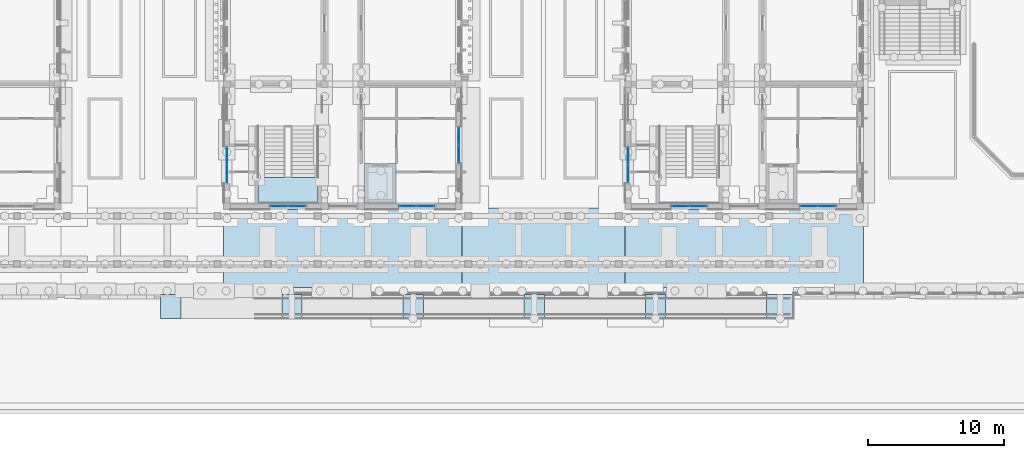
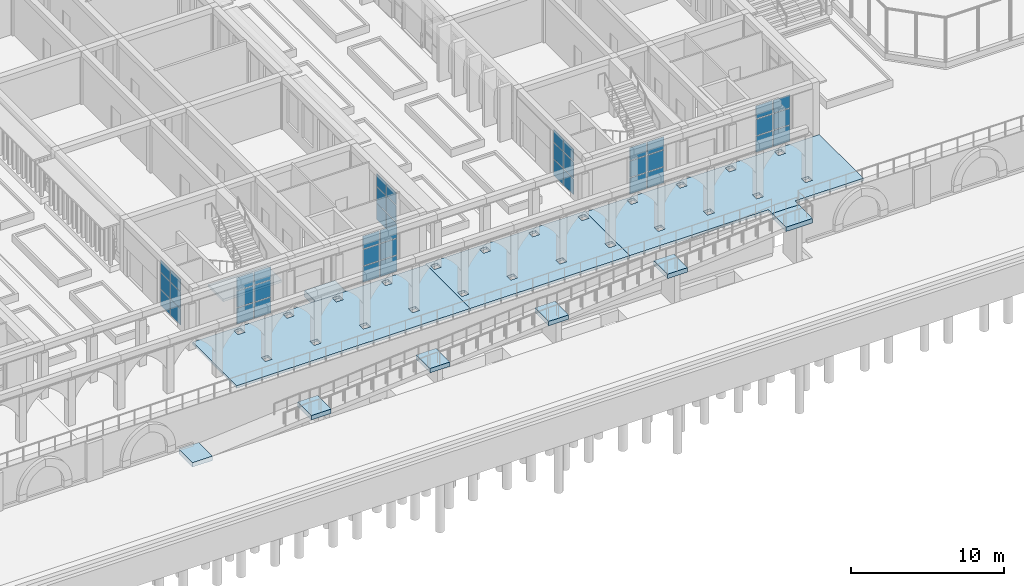
# One storey, part 49 of 161: 42 plates, 11 slabs, 9 elements without a shape of their own.
"""IFC4 building model written with IfcOpenShell, lengths in metres."""

from ifc_helpers import new_model, si_unit, direction, frame, origin, origin_2d, place, context, subcontext, project, spatial, polyline, rectangle, outline, extrude, material, layer, layer_set, type_object, element, aggregate, save


model = new_model("IFC4")

# Units and contexts
model_context = context("Model", 3, precision=1e-05, world=origin(), true_north=direction((0.0, 1.0)))
body_context = subcontext(model_context, "Body", "Model", "MODEL_VIEW")
ifc_project = project(units=[si_unit("LENGTHUNIT", "METRE"), si_unit("AREAUNIT", "SQUARE_METRE"), si_unit("VOLUMEUNIT", "CUBIC_METRE"), si_unit("PLANEANGLEUNIT", "RADIAN"), si_unit("MASSUNIT", "GRAM", prefix="KILO")], contexts=[model_context])

# Site, building, storey
site_placement = place(None, origin())
site = spatial("IfcSite", under=ifc_project, at=site_placement, CompositionType="ELEMENT")
building_placement = place(site_placement, origin())
building = spatial("IfcBuilding", under=site, at=building_placement, Name="Elbe Cascade School", CompositionType="ELEMENT")
storey_placement = place(building_placement, origin())
storey = spatial("IfcBuildingStorey", under=building, at=storey_placement, Name="L00", CompositionType="ELEMENT", Elevation=0.0)

# Stair, slab
ifc_material_1 = material(Name="Concrete C30/37", Category="concrete")
stair_type = type_object("IfcStairType", Name="Bar stair RC 150", PredefinedType="HALF_TURN_STAIR", material=ifc_material_1)
stair_placement = place(storey_placement, origin())
stair = element("IfcStair", 1, at=stair_placement, inside=storey, type_object=stair_type, Name="Stair C0.S", PredefinedType="HALF_TURN_STAIR")
ifc_material_2 = material(Name="Concrete C30/37", Category="concrete")
ifc_layer_1 = layer(ifc_material_2, 0.199951171875)
ifc_layer_set_1 = layer_set([ifc_layer_1], Name="Concrete C30/37")
slab_type_1 = type_object("IfcSlabType", Name="Bar stair landing RC 200", PredefinedType="LANDING", material=ifc_layer_set_1)
slab_1_placement = place(storey_placement, frame((0.0, 0.0, 2.050048828125)))
slab_1 = element("IfcSlab", 2, at=slab_1_placement, type_object=slab_type_1, Name="ST3 landing 1", PredefinedType="LANDING", context=body_context, shape_type="SweptSolid", body=[
    extrude(outline(polyline([(130.5, 6.179931640625), (134.89990234375, 6.179931640625), (134.89990234375, 8.1298828125), (130.5, 8.1298828125), (130.5, 6.179931640625)])), origin(), (0.0, 0.0, 1.0), 0.199951171875),
])
aggregate(stair, [slab_1])

# Curtain wall, plates
ifc_material_3 = material(Name="Aluminium frame with double glazing, bronze anodised", Category="aluminium")
ifc_layer_2 = layer(ifc_material_3, 0.199951171875)
ifc_layer_set_2 = layer_set([ifc_layer_2], Name="Aluminium frame with double glazing, bronze anodised")
curtain_wall_type = type_object("IfcCurtainWallType", Name="Bars envelope Curtain wall, aluminium, bronze anodised, ground floor tall run", PredefinedType="NOTDEFINED", material=ifc_layer_set_2)
curtain_wall_1_placement = place(storey_placement, origin())
curtain_wall_1 = element("IfcCurtainWall", 3, at=curtain_wall_1_placement, inside=storey, type_object=curtain_wall_type, Name="Curtain wall CW3 C.L00.w1", PredefinedType="NOTDEFINED")
ifc_material_4 = material(Name="Glass - double glazed low-E", Category="glass")
ifc_layer_3 = layer(ifc_material_4, 0.035888671875)
ifc_layer_set_3 = layer_set([ifc_layer_3], Name="Glass - double glazed low-E")
plate_type = type_object("IfcPlateType", Name="Bars envelope Curtain wall glazing panel 36 mm, double glazed, ground floor tall run", PredefinedType="CURTAIN_PANEL", material=ifc_layer_set_3)
plate_1_placement = place(storey_placement, frame((128.199951171875, 8.3798828125, 0.06005859375), z_axis=(0.0, 0.0, 1.0), x_axis=(0.0, 1.0, 0.0)))
plate_1 = element("IfcPlate", 4, at=plate_1_placement, type_object=plate_type, Name="CW3 panel 1.1", PredefinedType="CURTAIN_PANEL", context=body_context, shape_type="SweptSolid", body=[
    extrude(rectangle(XDim=1.260009765625, YDim=0.035888671875, at=origin_2d()), origin(), (0.0, 0.0, 1.0), 1.260009765625),
])
plate_2_placement = place(storey_placement, frame((128.199951171875, 8.3798828125, 1.3798828125), z_axis=(0.0, 0.0, 1.0), x_axis=(0.0, 1.0, 0.0)))
plate_2 = element("IfcPlate", 5, at=plate_2_placement, type_object=plate_type, Name="CW3 panel 1.2", PredefinedType="CURTAIN_PANEL", context=body_context, shape_type="SweptSolid", body=[
    extrude(rectangle(XDim=1.260009765625, YDim=0.035888671875, at=origin_2d()), origin(), (0.0, 0.0, 1.0), 1.2900390625),
])
plate_3_placement = place(storey_placement, frame((128.199951171875, 8.3798828125, 2.72998046875), z_axis=(0.0, 0.0, 1.0), x_axis=(0.0, 1.0, 0.0)))
plate_3 = element("IfcPlate", 6, at=plate_3_placement, type_object=plate_type, Name="CW3 panel 1.3", PredefinedType="CURTAIN_PANEL", context=body_context, shape_type="SweptSolid", body=[
    extrude(rectangle(XDim=1.260009765625, YDim=0.035888671875, at=origin_2d()), origin(), (0.0, 0.0, 1.0), 0.9599609375),
])
plate_4_placement = place(storey_placement, frame((128.199951171875, 9.699951171875, 0.06005859375), z_axis=(0.0, 0.0, 1.0), x_axis=(0.0, 1.0, 0.0)))
plate_4 = element("IfcPlate", 7, at=plate_4_placement, type_object=plate_type, Name="CW3 panel 2.1", PredefinedType="CURTAIN_PANEL", context=body_context, shape_type="SweptSolid", body=[
    extrude(rectangle(XDim=1.260009765625, YDim=0.035888671875, at=origin_2d()), origin(), (0.0, 0.0, 1.0), 1.260009765625),
])
plate_5_placement = place(storey_placement, frame((128.199951171875, 9.699951171875, 1.3798828125), z_axis=(0.0, 0.0, 1.0), x_axis=(0.0, 1.0, 0.0)))
plate_5 = element("IfcPlate", 8, at=plate_5_placement, type_object=plate_type, Name="CW3 panel 2.2", PredefinedType="CURTAIN_PANEL", context=body_context, shape_type="SweptSolid", body=[
    extrude(rectangle(XDim=1.260009765625, YDim=0.035888671875, at=origin_2d()), origin(), (0.0, 0.0, 1.0), 1.2900390625),
])
plate_6_placement = place(storey_placement, frame((128.199951171875, 9.699951171875, 2.72998046875), z_axis=(0.0, 0.0, 1.0), x_axis=(0.0, 1.0, 0.0)))
plate_6 = element("IfcPlate", 9, at=plate_6_placement, type_object=plate_type, Name="CW3 panel 2.3", PredefinedType="CURTAIN_PANEL", context=body_context, shape_type="SweptSolid", body=[
    extrude(rectangle(XDim=1.260009765625, YDim=0.035888671875, at=origin_2d()), origin(), (0.0, 0.0, 1.0), 0.9599609375),
])
aggregate(curtain_wall_1, [plate_1, plate_2, plate_3, plate_4, plate_5, plate_6])

curtain_wall_2_placement = place(storey_placement, origin())
curtain_wall_2 = element("IfcCurtainWall", 10, at=curtain_wall_2_placement, inside=storey, type_object=curtain_wall_type, Name="Curtain wall CW3 C.L00.e1", PredefinedType="NOTDEFINED")
plate_7_placement = place(storey_placement, frame((145.300048828125, 11.159912109375, 0.06005859375), z_axis=(0.0, 0.0, 1.0), x_axis=(0.0, -1.0, 0.0)))
plate_7 = element("IfcPlate", 11, at=plate_7_placement, type_object=plate_type, Name="CW3 panel 1.1", PredefinedType="CURTAIN_PANEL", context=body_context, shape_type="SweptSolid", body=[
    extrude(rectangle(XDim=1.260009765625, YDim=0.035888671875, at=origin_2d()), origin(), (0.0, 0.0, 1.0), 1.260009765625),
])
plate_8_placement = place(storey_placement, frame((145.300048828125, 11.159912109375, 1.3798828125), z_axis=(0.0, 0.0, 1.0), x_axis=(0.0, -1.0, 0.0)))
plate_8 = element("IfcPlate", 12, at=plate_8_placement, type_object=plate_type, Name="CW3 panel 1.2", PredefinedType="CURTAIN_PANEL", context=body_context, shape_type="SweptSolid", body=[
    extrude(rectangle(XDim=1.260009765625, YDim=0.035888671875, at=origin_2d()), origin(), (0.0, 0.0, 1.0), 1.2900390625),
])
plate_9_placement = place(storey_placement, frame((145.300048828125, 11.159912109375, 2.72998046875), z_axis=(0.0, 0.0, 1.0), x_axis=(0.0, -1.0, 0.0)))
plate_9 = element("IfcPlate", 13, at=plate_9_placement, type_object=plate_type, Name="CW3 panel 1.3", PredefinedType="CURTAIN_PANEL", context=body_context, shape_type="SweptSolid", body=[
    extrude(rectangle(XDim=1.260009765625, YDim=0.035888671875, at=origin_2d()), origin(), (0.0, 0.0, 1.0), 0.9599609375),
])
plate_10_placement = place(storey_placement, frame((145.300048828125, 9.840087890625, 0.06005859375), z_axis=(0.0, 0.0, 1.0), x_axis=(0.0, -1.0, 0.0)))
plate_10 = element("IfcPlate", 14, at=plate_10_placement, type_object=plate_type, Name="CW3 panel 2.1", PredefinedType="CURTAIN_PANEL", context=body_context, shape_type="SweptSolid", body=[
    extrude(rectangle(XDim=1.260009765625, YDim=0.035888671875, at=origin_2d()), origin(), (0.0, 0.0, 1.0), 1.260009765625),
])
plate_11_placement = place(storey_placement, frame((145.300048828125, 9.840087890625, 1.3798828125), z_axis=(0.0, 0.0, 1.0), x_axis=(0.0, -1.0, 0.0)))
plate_11 = element("IfcPlate", 15, at=plate_11_placement, type_object=plate_type, Name="CW3 panel 2.2", PredefinedType="CURTAIN_PANEL", context=body_context, shape_type="SweptSolid", body=[
    extrude(rectangle(XDim=1.260009765625, YDim=0.035888671875, at=origin_2d()), origin(), (0.0, 0.0, 1.0), 1.2900390625),
])
plate_12_placement = place(storey_placement, frame((145.300048828125, 9.840087890625, 2.72998046875), z_axis=(0.0, 0.0, 1.0), x_axis=(0.0, -1.0, 0.0)))
plate_12 = element("IfcPlate", 16, at=plate_12_placement, type_object=plate_type, Name="CW3 panel 2.3", PredefinedType="CURTAIN_PANEL", context=body_context, shape_type="SweptSolid", body=[
    extrude(rectangle(XDim=1.260009765625, YDim=0.035888671875, at=origin_2d()), origin(), (0.0, 0.0, 1.0), 0.9599609375),
])
aggregate(curtain_wall_2, [plate_7, plate_8, plate_9, plate_10, plate_11, plate_12])

curtain_wall_3_placement = place(storey_placement, origin())
curtain_wall_3 = element("IfcCurtainWall", 17, at=curtain_wall_3_placement, inside=storey, type_object=curtain_wall_type, Name="Curtain wall CW3 C.L00.s1", PredefinedType="NOTDEFINED")
plate_13_placement = place(storey_placement, frame((133.360107421875, 6.0, 0.06005859375), z_axis=(0.0, 0.0, 1.0), x_axis=(-1.0, 0.0, 0.0)))
plate_13 = element("IfcPlate", 18, at=plate_13_placement, type_object=plate_type, Name="CW3 panel 1.1", PredefinedType="CURTAIN_PANEL", context=body_context, shape_type="SweptSolid", body=[
    extrude(rectangle(XDim=1.260009765625, YDim=0.035888671875, at=origin_2d()), origin(), (0.0, 0.0, 1.0), 1.260009765625),
])
plate_14_placement = place(storey_placement, frame((133.360107421875, 6.0, 1.3798828125), z_axis=(0.0, 0.0, 1.0), x_axis=(-1.0, 0.0, 0.0)))
plate_14 = element("IfcPlate", 19, at=plate_14_placement, type_object=plate_type, Name="CW3 panel 1.2", PredefinedType="CURTAIN_PANEL", context=body_context, shape_type="SweptSolid", body=[
    extrude(rectangle(XDim=1.260009765625, YDim=0.035888671875, at=origin_2d()), origin(), (0.0, 0.0, 1.0), 1.2900390625),
])
plate_15_placement = place(storey_placement, frame((133.360107421875, 6.0, 2.72998046875), z_axis=(0.0, 0.0, 1.0), x_axis=(-1.0, 0.0, 0.0)))
plate_15 = element("IfcPlate", 20, at=plate_15_placement, type_object=plate_type, Name="CW3 panel 1.3", PredefinedType="CURTAIN_PANEL", context=body_context, shape_type="SweptSolid", body=[
    extrude(rectangle(XDim=1.260009765625, YDim=0.035888671875, at=origin_2d()), origin(), (0.0, 0.0, 1.0), 1.010009765625),
])
plate_16_placement = place(storey_placement, frame((132.0400390625, 6.0, 0.06005859375), z_axis=(0.0, 0.0, 1.0), x_axis=(-1.0, 0.0, 0.0)))
plate_16 = element("IfcPlate", 21, at=plate_16_placement, type_object=plate_type, Name="CW3 panel 2.1", PredefinedType="CURTAIN_PANEL", context=body_context, shape_type="SweptSolid", body=[
    extrude(rectangle(XDim=1.260009765625, YDim=0.035888671875, at=origin_2d()), origin(), (0.0, 0.0, 1.0), 1.260009765625),
])
plate_17_placement = place(storey_placement, frame((132.0400390625, 6.0, 1.3798828125), z_axis=(0.0, 0.0, 1.0), x_axis=(-1.0, 0.0, 0.0)))
plate_17 = element("IfcPlate", 22, at=plate_17_placement, type_object=plate_type, Name="CW3 panel 2.2", PredefinedType="CURTAIN_PANEL", context=body_context, shape_type="SweptSolid", body=[
    extrude(rectangle(XDim=1.260009765625, YDim=0.035888671875, at=origin_2d()), origin(), (0.0, 0.0, 1.0), 1.2900390625),
])
plate_18_placement = place(storey_placement, frame((132.0400390625, 6.0, 2.72998046875), z_axis=(0.0, 0.0, 1.0), x_axis=(-1.0, 0.0, 0.0)))
plate_18 = element("IfcPlate", 23, at=plate_18_placement, type_object=plate_type, Name="CW3 panel 2.3", PredefinedType="CURTAIN_PANEL", context=body_context, shape_type="SweptSolid", body=[
    extrude(rectangle(XDim=1.260009765625, YDim=0.035888671875, at=origin_2d()), origin(), (0.0, 0.0, 1.0), 1.010009765625),
])
aggregate(curtain_wall_3, [plate_13, plate_14, plate_15, plate_16, plate_17, plate_18])

curtain_wall_4_placement = place(storey_placement, origin())
curtain_wall_4 = element("IfcCurtainWall", 24, at=curtain_wall_4_placement, inside=storey, type_object=curtain_wall_type, Name="Curtain wall CW3 C.L00.s3", PredefinedType="NOTDEFINED")
plate_19_placement = place(storey_placement, frame((142.860107421875, 6.0, 0.06005859375), z_axis=(0.0, 0.0, 1.0), x_axis=(-1.0, 0.0, 0.0)))
plate_19 = element("IfcPlate", 25, at=plate_19_placement, type_object=plate_type, Name="CW3 panel 1.1", PredefinedType="CURTAIN_PANEL", context=body_context, shape_type="SweptSolid", body=[
    extrude(rectangle(XDim=1.260009765625, YDim=0.035888671875, at=origin_2d()), origin(), (0.0, 0.0, 1.0), 1.260009765625),
])
plate_20_placement = place(storey_placement, frame((142.860107421875, 6.0, 1.3798828125), z_axis=(0.0, 0.0, 1.0), x_axis=(-1.0, 0.0, 0.0)))
plate_20 = element("IfcPlate", 26, at=plate_20_placement, type_object=plate_type, Name="CW3 panel 1.2", PredefinedType="CURTAIN_PANEL", context=body_context, shape_type="SweptSolid", body=[
    extrude(rectangle(XDim=1.260009765625, YDim=0.035888671875, at=origin_2d()), origin(), (0.0, 0.0, 1.0), 1.2900390625),
])
plate_21_placement = place(storey_placement, frame((142.860107421875, 6.0, 2.72998046875), z_axis=(0.0, 0.0, 1.0), x_axis=(-1.0, 0.0, 0.0)))
plate_21 = element("IfcPlate", 27, at=plate_21_placement, type_object=plate_type, Name="CW3 panel 1.3", PredefinedType="CURTAIN_PANEL", context=body_context, shape_type="SweptSolid", body=[
    extrude(rectangle(XDim=1.260009765625, YDim=0.035888671875, at=origin_2d()), origin(), (0.0, 0.0, 1.0), 1.010009765625),
])
plate_22_placement = place(storey_placement, frame((141.5400390625, 6.0, 0.06005859375), z_axis=(0.0, 0.0, 1.0), x_axis=(-1.0, 0.0, 0.0)))
plate_22 = element("IfcPlate", 28, at=plate_22_placement, type_object=plate_type, Name="CW3 panel 2.1", PredefinedType="CURTAIN_PANEL", context=body_context, shape_type="SweptSolid", body=[
    extrude(rectangle(XDim=1.260009765625, YDim=0.035888671875, at=origin_2d()), origin(), (0.0, 0.0, 1.0), 1.260009765625),
])
plate_23_placement = place(storey_placement, frame((141.5400390625, 6.0, 1.3798828125), z_axis=(0.0, 0.0, 1.0), x_axis=(-1.0, 0.0, 0.0)))
plate_23 = element("IfcPlate", 29, at=plate_23_placement, type_object=plate_type, Name="CW3 panel 2.2", PredefinedType="CURTAIN_PANEL", context=body_context, shape_type="SweptSolid", body=[
    extrude(rectangle(XDim=1.260009765625, YDim=0.035888671875, at=origin_2d()), origin(), (0.0, 0.0, 1.0), 1.2900390625),
])
plate_24_placement = place(storey_placement, frame((141.5400390625, 6.0, 2.72998046875), z_axis=(0.0, 0.0, 1.0), x_axis=(-1.0, 0.0, 0.0)))
plate_24 = element("IfcPlate", 30, at=plate_24_placement, type_object=plate_type, Name="CW3 panel 2.3", PredefinedType="CURTAIN_PANEL", context=body_context, shape_type="SweptSolid", body=[
    extrude(rectangle(XDim=1.260009765625, YDim=0.035888671875, at=origin_2d()), origin(), (0.0, 0.0, 1.0), 1.010009765625),
])
aggregate(curtain_wall_4, [plate_19, plate_20, plate_21, plate_22, plate_23, plate_24])

curtain_wall_5_placement = place(storey_placement, origin())
curtain_wall_5 = element("IfcCurtainWall", 31, at=curtain_wall_5_placement, inside=storey, type_object=curtain_wall_type, Name="Curtain wall CW3 D.L00.w1", PredefinedType="NOTDEFINED")
plate_25_placement = place(storey_placement, frame((157.800048828125, 8.3798828125, 0.06005859375), z_axis=(0.0, 0.0, 1.0), x_axis=(0.0, 1.0, 0.0)))
plate_25 = element("IfcPlate", 32, at=plate_25_placement, type_object=plate_type, Name="CW3 panel 1.1", PredefinedType="CURTAIN_PANEL", context=body_context, shape_type="SweptSolid", body=[
    extrude(rectangle(XDim=1.260009765625, YDim=0.035888671875, at=origin_2d()), origin(), (0.0, 0.0, 1.0), 1.260009765625),
])
plate_26_placement = place(storey_placement, frame((157.800048828125, 8.3798828125, 1.3798828125), z_axis=(0.0, 0.0, 1.0), x_axis=(0.0, 1.0, 0.0)))
plate_26 = element("IfcPlate", 33, at=plate_26_placement, type_object=plate_type, Name="CW3 panel 1.2", PredefinedType="CURTAIN_PANEL", context=body_context, shape_type="SweptSolid", body=[
    extrude(rectangle(XDim=1.260009765625, YDim=0.035888671875, at=origin_2d()), origin(), (0.0, 0.0, 1.0), 1.2900390625),
])
plate_27_placement = place(storey_placement, frame((157.800048828125, 8.3798828125, 2.72998046875), z_axis=(0.0, 0.0, 1.0), x_axis=(0.0, 1.0, 0.0)))
plate_27 = element("IfcPlate", 34, at=plate_27_placement, type_object=plate_type, Name="CW3 panel 1.3", PredefinedType="CURTAIN_PANEL", context=body_context, shape_type="SweptSolid", body=[
    extrude(rectangle(XDim=1.260009765625, YDim=0.035888671875, at=origin_2d()), origin(), (0.0, 0.0, 1.0), 0.9599609375),
])
plate_28_placement = place(storey_placement, frame((157.800048828125, 9.699951171875, 0.06005859375), z_axis=(0.0, 0.0, 1.0), x_axis=(0.0, 1.0, 0.0)))
plate_28 = element("IfcPlate", 35, at=plate_28_placement, type_object=plate_type, Name="CW3 panel 2.1", PredefinedType="CURTAIN_PANEL", context=body_context, shape_type="SweptSolid", body=[
    extrude(rectangle(XDim=1.260009765625, YDim=0.035888671875, at=origin_2d()), origin(), (0.0, 0.0, 1.0), 1.260009765625),
])
plate_29_placement = place(storey_placement, frame((157.800048828125, 9.699951171875, 1.3798828125), z_axis=(0.0, 0.0, 1.0), x_axis=(0.0, 1.0, 0.0)))
plate_29 = element("IfcPlate", 36, at=plate_29_placement, type_object=plate_type, Name="CW3 panel 2.2", PredefinedType="CURTAIN_PANEL", context=body_context, shape_type="SweptSolid", body=[
    extrude(rectangle(XDim=1.260009765625, YDim=0.035888671875, at=origin_2d()), origin(), (0.0, 0.0, 1.0), 1.2900390625),
])
plate_30_placement = place(storey_placement, frame((157.800048828125, 9.699951171875, 2.72998046875), z_axis=(0.0, 0.0, 1.0), x_axis=(0.0, 1.0, 0.0)))
plate_30 = element("IfcPlate", 37, at=plate_30_placement, type_object=plate_type, Name="CW3 panel 2.3", PredefinedType="CURTAIN_PANEL", context=body_context, shape_type="SweptSolid", body=[
    extrude(rectangle(XDim=1.260009765625, YDim=0.035888671875, at=origin_2d()), origin(), (0.0, 0.0, 1.0), 0.9599609375),
])
aggregate(curtain_wall_5, [plate_25, plate_26, plate_27, plate_28, plate_29, plate_30])

curtain_wall_6_placement = place(storey_placement, origin())
curtain_wall_6 = element("IfcCurtainWall", 38, at=curtain_wall_6_placement, inside=storey, type_object=curtain_wall_type, Name="Curtain wall CW3 D.L00.s1", PredefinedType="NOTDEFINED")
plate_31_placement = place(storey_placement, frame((162.9599609375, 6.0, 0.06005859375), z_axis=(0.0, 0.0, 1.0), x_axis=(-1.0, 0.0, 0.0)))
plate_31 = element("IfcPlate", 39, at=plate_31_placement, type_object=plate_type, Name="CW3 panel 1.1", PredefinedType="CURTAIN_PANEL", context=body_context, shape_type="SweptSolid", body=[
    extrude(rectangle(XDim=1.260009765625, YDim=0.035888671875, at=origin_2d()), origin(), (0.0, 0.0, 1.0), 1.260009765625),
])
plate_32_placement = place(storey_placement, frame((162.9599609375, 6.0, 1.3798828125), z_axis=(0.0, 0.0, 1.0), x_axis=(-1.0, 0.0, 0.0)))
plate_32 = element("IfcPlate", 40, at=plate_32_placement, type_object=plate_type, Name="CW3 panel 1.2", PredefinedType="CURTAIN_PANEL", context=body_context, shape_type="SweptSolid", body=[
    extrude(rectangle(XDim=1.260009765625, YDim=0.035888671875, at=origin_2d()), origin(), (0.0, 0.0, 1.0), 1.2900390625),
])
plate_33_placement = place(storey_placement, frame((162.9599609375, 6.0, 2.72998046875), z_axis=(0.0, 0.0, 1.0), x_axis=(-1.0, 0.0, 0.0)))
plate_33 = element("IfcPlate", 41, at=plate_33_placement, type_object=plate_type, Name="CW3 panel 1.3", PredefinedType="CURTAIN_PANEL", context=body_context, shape_type="SweptSolid", body=[
    extrude(rectangle(XDim=1.260009765625, YDim=0.035888671875, at=origin_2d()), origin(), (0.0, 0.0, 1.0), 1.010009765625),
])
plate_34_placement = place(storey_placement, frame((161.639892578125, 6.0, 0.06005859375), z_axis=(0.0, 0.0, 1.0), x_axis=(-1.0, 0.0, 0.0)))
plate_34 = element("IfcPlate", 42, at=plate_34_placement, type_object=plate_type, Name="CW3 panel 2.1", PredefinedType="CURTAIN_PANEL", context=body_context, shape_type="SweptSolid", body=[
    extrude(rectangle(XDim=1.260009765625, YDim=0.035888671875, at=origin_2d()), origin(), (0.0, 0.0, 1.0), 1.260009765625),
])
plate_35_placement = place(storey_placement, frame((161.639892578125, 6.0, 1.3798828125), z_axis=(0.0, 0.0, 1.0), x_axis=(-1.0, 0.0, 0.0)))
plate_35 = element("IfcPlate", 43, at=plate_35_placement, type_object=plate_type, Name="CW3 panel 2.2", PredefinedType="CURTAIN_PANEL", context=body_context, shape_type="SweptSolid", body=[
    extrude(rectangle(XDim=1.260009765625, YDim=0.035888671875, at=origin_2d()), origin(), (0.0, 0.0, 1.0), 1.2900390625),
])
plate_36_placement = place(storey_placement, frame((161.639892578125, 6.0, 2.72998046875), z_axis=(0.0, 0.0, 1.0), x_axis=(-1.0, 0.0, 0.0)))
plate_36 = element("IfcPlate", 44, at=plate_36_placement, type_object=plate_type, Name="CW3 panel 2.3", PredefinedType="CURTAIN_PANEL", context=body_context, shape_type="SweptSolid", body=[
    extrude(rectangle(XDim=1.260009765625, YDim=0.035888671875, at=origin_2d()), origin(), (0.0, 0.0, 1.0), 1.010009765625),
])
aggregate(curtain_wall_6, [plate_31, plate_32, plate_33, plate_34, plate_35, plate_36])

curtain_wall_7_placement = place(storey_placement, origin())
curtain_wall_7 = element("IfcCurtainWall", 45, at=curtain_wall_7_placement, inside=storey, type_object=curtain_wall_type, Name="Curtain wall CW3 D.L00.s3", PredefinedType="NOTDEFINED")
plate_37_placement = place(storey_placement, frame((172.4599609375, 6.0, 0.06005859375), z_axis=(0.0, 0.0, 1.0), x_axis=(-1.0, 0.0, 0.0)))
plate_37 = element("IfcPlate", 46, at=plate_37_placement, type_object=plate_type, Name="CW3 panel 1.1", PredefinedType="CURTAIN_PANEL", context=body_context, shape_type="SweptSolid", body=[
    extrude(rectangle(XDim=1.260009765625, YDim=0.035888671875, at=origin_2d()), origin(), (0.0, 0.0, 1.0), 1.260009765625),
])
plate_38_placement = place(storey_placement, frame((172.4599609375, 6.0, 1.3798828125), z_axis=(0.0, 0.0, 1.0), x_axis=(-1.0, 0.0, 0.0)))
plate_38 = element("IfcPlate", 47, at=plate_38_placement, type_object=plate_type, Name="CW3 panel 1.2", PredefinedType="CURTAIN_PANEL", context=body_context, shape_type="SweptSolid", body=[
    extrude(rectangle(XDim=1.260009765625, YDim=0.035888671875, at=origin_2d()), origin(), (0.0, 0.0, 1.0), 1.2900390625),
])
plate_39_placement = place(storey_placement, frame((172.4599609375, 6.0, 2.72998046875), z_axis=(0.0, 0.0, 1.0), x_axis=(-1.0, 0.0, 0.0)))
plate_39 = element("IfcPlate", 48, at=plate_39_placement, type_object=plate_type, Name="CW3 panel 1.3", PredefinedType="CURTAIN_PANEL", context=body_context, shape_type="SweptSolid", body=[
    extrude(rectangle(XDim=1.260009765625, YDim=0.035888671875, at=origin_2d()), origin(), (0.0, 0.0, 1.0), 1.010009765625),
])
plate_40_placement = place(storey_placement, frame((171.139892578125, 6.0, 0.06005859375), z_axis=(0.0, 0.0, 1.0), x_axis=(-1.0, 0.0, 0.0)))
plate_40 = element("IfcPlate", 49, at=plate_40_placement, type_object=plate_type, Name="CW3 panel 2.1", PredefinedType="CURTAIN_PANEL", context=body_context, shape_type="SweptSolid", body=[
    extrude(rectangle(XDim=1.260009765625, YDim=0.035888671875, at=origin_2d()), origin(), (0.0, 0.0, 1.0), 1.260009765625),
])
plate_41_placement = place(storey_placement, frame((171.139892578125, 6.0, 1.3798828125), z_axis=(0.0, 0.0, 1.0), x_axis=(-1.0, 0.0, 0.0)))
plate_41 = element("IfcPlate", 50, at=plate_41_placement, type_object=plate_type, Name="CW3 panel 2.2", PredefinedType="CURTAIN_PANEL", context=body_context, shape_type="SweptSolid", body=[
    extrude(rectangle(XDim=1.260009765625, YDim=0.035888671875, at=origin_2d()), origin(), (0.0, 0.0, 1.0), 1.2900390625),
])
plate_42_placement = place(storey_placement, frame((171.139892578125, 6.0, 2.72998046875), z_axis=(0.0, 0.0, 1.0), x_axis=(-1.0, 0.0, 0.0)))
plate_42 = element("IfcPlate", 51, at=plate_42_placement, type_object=plate_type, Name="CW3 panel 2.3", PredefinedType="CURTAIN_PANEL", context=body_context, shape_type="SweptSolid", body=[
    extrude(rectangle(XDim=1.260009765625, YDim=0.035888671875, at=origin_2d()), origin(), (0.0, 0.0, 1.0), 1.010009765625),
])
aggregate(curtain_wall_7, [plate_37, plate_38, plate_39, plate_40, plate_41, plate_42])

# Slabs
ifc_material_5 = material(Name="Concrete C35/45", Category="concrete")
ifc_layer_4 = layer(ifc_material_5, 0.5)
ifc_layer_set_4 = layer_set([ifc_layer_4], Name="Concrete C35/45")
slab_type_2 = type_object("IfcSlabType", Name="Lift pit slab 500", PredefinedType="BASESLAB", material=ifc_layer_set_4)
slab_2_placement = place(storey_placement, frame((0.0, 0.0, -2.10009765625)))
element("IfcSlab", 52, at=slab_2_placement, inside=storey, type_object=slab_type_2, Name="Lift pit slab 500 S5", PredefinedType="BASESLAB", context=body_context, shape_type="SweptSolid", body=[
    extrude(outline(polyline([(138.35009765625, 6.25), (140.64990234375, 6.25), (140.64990234375, 9.14990234375), (138.35009765625, 9.14990234375), (138.35009765625, 6.25)])), origin(), (0.0, 0.0, 1.0), 0.5),
])
ifc_material_6 = material(Name="Concrete C30/37", Category="concrete")
ifc_layer_5 = layer(ifc_material_6, 0.199951171875)
ifc_layer_set_5 = layer_set([ifc_layer_5], Name="Concrete C30/37")
slab_type_3 = type_object("IfcSlabType", Name="Paving slab 200", PredefinedType="BASESLAB", material=ifc_layer_set_5)
slab_3_placement = place(storey_placement, frame((0.0, 0.0, -0.199951171875)))
element("IfcSlab", 53, at=slab_3_placement, inside=storey, type_object=slab_type_3, Name="Colonnade walk paving east of the lane 5", PredefinedType="BASESLAB", context=body_context, shape_type="SweptSolid", body=[
    extrude(outline(polyline([(127.949951171875, 0.0), (145.550048828125, 0.0), (145.550048828125, 5.75), (145.050048828125, 5.75), (138.35009765625, 5.75), (137.85009765625, 5.75), (135.64990234375, 5.75), (135.14990234375, 5.75), (128.449951171875, 5.75), (127.949951171875, 5.75), (127.949951171875, 0.0)]), holes=[polyline([(131.465087890625, 1.989990234375), (131.465087890625, 1.4599609375), (130.93505859375, 1.4599609375), (130.93505859375, 1.989990234375), (131.465087890625, 1.989990234375)]), polyline([(131.465087890625, 5.010009765625), (130.93505859375, 5.010009765625), (130.93505859375, 5.5400390625), (131.465087890625, 5.5400390625), (131.465087890625, 5.010009765625)]), polyline([(134.635009765625, 1.4599609375), (134.635009765625, 1.989990234375), (135.1650390625, 1.989990234375), (135.1650390625, 1.4599609375), (134.635009765625, 1.4599609375)]), polyline([(134.635009765625, 5.5400390625), (135.1650390625, 5.5400390625), (135.1650390625, 5.010009765625), (134.635009765625, 5.010009765625), (134.635009765625, 5.5400390625)]), polyline([(138.864990234375, 1.989990234375), (138.864990234375, 1.4599609375), (138.3349609375, 1.4599609375), (138.3349609375, 1.989990234375), (138.864990234375, 1.989990234375)]), polyline([(138.864990234375, 5.010009765625), (138.3349609375, 5.010009765625), (138.3349609375, 5.5400390625), (138.864990234375, 5.5400390625), (138.864990234375, 5.010009765625)]), polyline([(142.034912109375, 1.4599609375), (142.034912109375, 1.989990234375), (142.56494140625, 1.989990234375), (142.56494140625, 1.4599609375), (142.034912109375, 1.4599609375)]), polyline([(142.034912109375, 5.5400390625), (142.56494140625, 5.5400390625), (142.56494140625, 5.010009765625), (142.034912109375, 5.010009765625), (142.034912109375, 5.5400390625)])]), origin(), (0.0, 0.0, 1.0), 0.199951171875),
])
slab_4_placement = place(storey_placement, frame((0.0, 0.0, -0.199951171875)))
element("IfcSlab", 54, at=slab_4_placement, inside=storey, type_object=slab_type_3, Name="Colonnade walk paving east of the lane 6", PredefinedType="BASESLAB", context=body_context, shape_type="SweptSolid", body=[
    extrude(outline(polyline([(145.550048828125, 0.0), (157.550048828125, 0.0), (157.550048828125, 5.75), (157.550048828125, 5.85009765625), (145.550048828125, 5.85009765625), (145.550048828125, 5.75), (145.550048828125, 0.0)]), holes=[polyline([(146.264892578125, 1.989990234375), (146.264892578125, 1.4599609375), (145.735107421875, 1.4599609375), (145.735107421875, 1.989990234375), (146.264892578125, 1.989990234375)]), polyline([(146.264892578125, 5.010009765625), (145.735107421875, 5.010009765625), (145.735107421875, 5.5400390625), (146.264892578125, 5.5400390625), (146.264892578125, 5.010009765625)]), polyline([(149.43505859375, 1.4599609375), (149.43505859375, 1.989990234375), (149.965087890625, 1.989990234375), (149.965087890625, 1.4599609375), (149.43505859375, 1.4599609375)]), polyline([(149.43505859375, 5.5400390625), (149.965087890625, 5.5400390625), (149.965087890625, 5.010009765625), (149.43505859375, 5.010009765625), (149.43505859375, 5.5400390625)]), polyline([(153.6650390625, 1.989990234375), (153.6650390625, 1.4599609375), (153.135009765625, 1.4599609375), (153.135009765625, 1.989990234375), (153.6650390625, 1.989990234375)]), polyline([(153.6650390625, 5.010009765625), (153.135009765625, 5.010009765625), (153.135009765625, 5.5400390625), (153.6650390625, 5.5400390625), (153.6650390625, 5.010009765625)]), polyline([(156.8349609375, 1.4599609375), (156.8349609375, 1.989990234375), (157.364990234375, 1.989990234375), (157.364990234375, 1.4599609375), (156.8349609375, 1.4599609375)]), polyline([(156.8349609375, 5.5400390625), (157.364990234375, 5.5400390625), (157.364990234375, 5.010009765625), (156.8349609375, 5.010009765625), (156.8349609375, 5.5400390625)])]), origin(), (0.0, 0.0, 1.0), 0.199951171875),
])
slab_5_placement = place(storey_placement, frame((0.0, 0.0, -0.199951171875)))
element("IfcSlab", 55, at=slab_5_placement, inside=storey, type_object=slab_type_3, Name="Colonnade walk paving east of the lane 7", PredefinedType="BASESLAB", context=body_context, shape_type="SweptSolid", body=[
    extrude(outline(polyline([(168.0, -0.5), (170.0, -0.5), (170.0, 0.0), (175.14990234375, 0.0), (175.14990234375, 5.75), (174.64990234375, 5.75), (167.949951171875, 5.75), (167.449951171875, 5.75), (165.25, 5.75), (164.75, 5.75), (158.050048828125, 5.75), (157.550048828125, 5.75), (157.550048828125, 0.0), (168.0, 0.0), (168.0, -0.5)]), holes=[polyline([(161.06494140625, 1.989990234375), (161.06494140625, 1.4599609375), (160.534912109375, 1.4599609375), (160.534912109375, 1.989990234375), (161.06494140625, 1.989990234375)]), polyline([(161.06494140625, 5.010009765625), (160.534912109375, 5.010009765625), (160.534912109375, 5.5400390625), (161.06494140625, 5.5400390625), (161.06494140625, 5.010009765625)]), polyline([(164.235107421875, 1.4599609375), (164.235107421875, 1.989990234375), (164.764892578125, 1.989990234375), (164.764892578125, 1.4599609375), (164.235107421875, 1.4599609375)]), polyline([(164.235107421875, 5.5400390625), (164.764892578125, 5.5400390625), (164.764892578125, 5.010009765625), (164.235107421875, 5.010009765625), (164.235107421875, 5.5400390625)]), polyline([(168.465087890625, 1.989990234375), (168.465087890625, 1.4599609375), (167.93505859375, 1.4599609375), (167.93505859375, 1.989990234375), (168.465087890625, 1.989990234375)]), polyline([(168.465087890625, 5.010009765625), (167.93505859375, 5.010009765625), (167.93505859375, 5.5400390625), (168.465087890625, 5.5400390625), (168.465087890625, 5.010009765625)]), polyline([(171.635009765625, 1.4599609375), (171.635009765625, 1.989990234375), (172.1650390625, 1.989990234375), (172.1650390625, 1.4599609375), (171.635009765625, 1.4599609375)]), polyline([(171.635009765625, 5.5400390625), (172.1650390625, 5.5400390625), (172.1650390625, 5.010009765625), (171.635009765625, 5.010009765625), (171.635009765625, 5.5400390625)])]), origin(), (0.0, 0.0, 1.0), 0.199951171875),
])

# Ramp, slabs
ifc_material_7 = material(Name="Concrete C30/37", Category="concrete")
ramp_type = type_object("IfcRampType", Name="Quay ramp", PredefinedType="STRAIGHT_RUN_RAMP", material=ifc_material_7)
ramp_placement = place(storey_placement, origin())
ramp = element("IfcRamp", 56, at=ramp_placement, inside=storey, type_object=ramp_type, Name="Quay ramp", PredefinedType="STRAIGHT_RUN_RAMP")
ifc_material_8 = material(Name="Concrete C30/37", Category="concrete")
ifc_layer_6 = layer(ifc_material_8, 0.35009765625)
ifc_layer_set_6 = layer_set([ifc_layer_6], Name="Concrete C30/37")
slab_type_4 = type_object("IfcSlabType", Name="Quay ramp landing 350", PredefinedType="LANDING", material=ifc_layer_set_6)
slab_6_placement = place(storey_placement, frame((0.0, 0.0, -3.449951171875)))
slab_6 = element("IfcSlab", 57, at=slab_6_placement, type_object=slab_type_4, Name="RP1 landing 1", PredefinedType="LANDING", context=body_context, shape_type="SweptSolid", body=[
    extrude(outline(polyline([(123.300048828125, -2.300048828125), (124.800048828125, -2.300048828125), (124.800048828125, -0.5), (123.300048828125, -0.5), (123.300048828125, -2.300048828125)])), origin(), (0.0, 0.0, 1.0), 0.349853515625),
])
slab_7_placement = place(storey_placement, frame((0.0, 0.0, -2.830078125)))
slab_7 = element("IfcSlab", 58, at=slab_7_placement, type_object=slab_type_4, Name="RP1 landing 2", PredefinedType="LANDING", context=body_context, shape_type="SweptSolid", body=[
    extrude(outline(polyline([(132.239990234375, -2.300048828125), (133.739990234375, -2.300048828125), (133.739990234375, -0.5), (132.239990234375, -0.5), (132.239990234375, -2.300048828125)])), origin(), (0.0, 0.0, 1.0), 0.35009765625),
])
slab_8_placement = place(storey_placement, frame((0.0, 0.0, -2.2099609375)))
slab_8 = element("IfcSlab", 59, at=slab_8_placement, type_object=slab_type_4, Name="RP1 landing 3", PredefinedType="LANDING", context=body_context, shape_type="SweptSolid", body=[
    extrude(outline(polyline([(141.179931640625, -2.300048828125), (142.679931640625, -2.300048828125), (142.679931640625, -0.5), (141.179931640625, -0.5), (141.179931640625, -2.300048828125)])), origin(), (0.0, 0.0, 1.0), 0.349853515625),
])
slab_9_placement = place(storey_placement, frame((0.0, 0.0, -1.590087890625)))
slab_9 = element("IfcSlab", 60, at=slab_9_placement, type_object=slab_type_4, Name="RP1 landing 4", PredefinedType="LANDING", context=body_context, shape_type="SweptSolid", body=[
    extrude(outline(polyline([(150.1201171875, -2.300048828125), (151.6201171875, -2.300048828125), (151.6201171875, -0.5), (150.1201171875, -0.5), (150.1201171875, -2.300048828125)])), origin(), (0.0, 0.0, 1.0), 0.35009765625),
])
slab_10_placement = place(storey_placement, frame((0.0, 0.0, -0.969970703125)))
slab_10 = element("IfcSlab", 61, at=slab_10_placement, type_object=slab_type_4, Name="RP1 landing 5", PredefinedType="LANDING", context=body_context, shape_type="SweptSolid", body=[
    extrude(outline(polyline([(159.06005859375, -2.300048828125), (160.56005859375, -2.300048828125), (160.56005859375, -0.5), (159.06005859375, -0.5), (159.06005859375, -2.300048828125)])), origin(), (0.0, 0.0, 1.0), 0.349853515625),
])
slab_11_placement = place(storey_placement, frame((0.0, 0.0, -0.35009765625)))
slab_11 = element("IfcSlab", 62, at=slab_11_placement, type_object=slab_type_4, Name="RP1 landing 6", PredefinedType="LANDING", context=body_context, shape_type="SweptSolid", body=[
    extrude(outline(polyline([(168.0, -2.300048828125), (170.0, -2.300048828125), (170.0, -0.5), (168.0, -0.5), (168.0, -2.300048828125)])), origin(), (0.0, 0.0, 1.0), 0.35009765625),
])
aggregate(ramp, [slab_6, slab_7, slab_8, slab_9, slab_10, slab_11])

save(model, "model.ifc")
